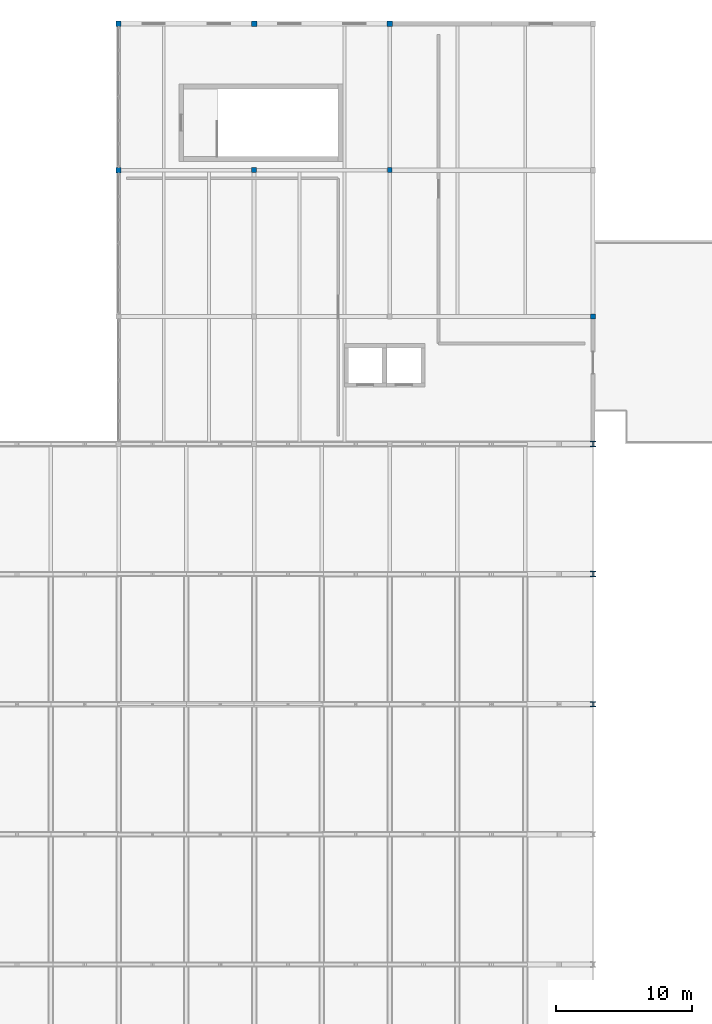
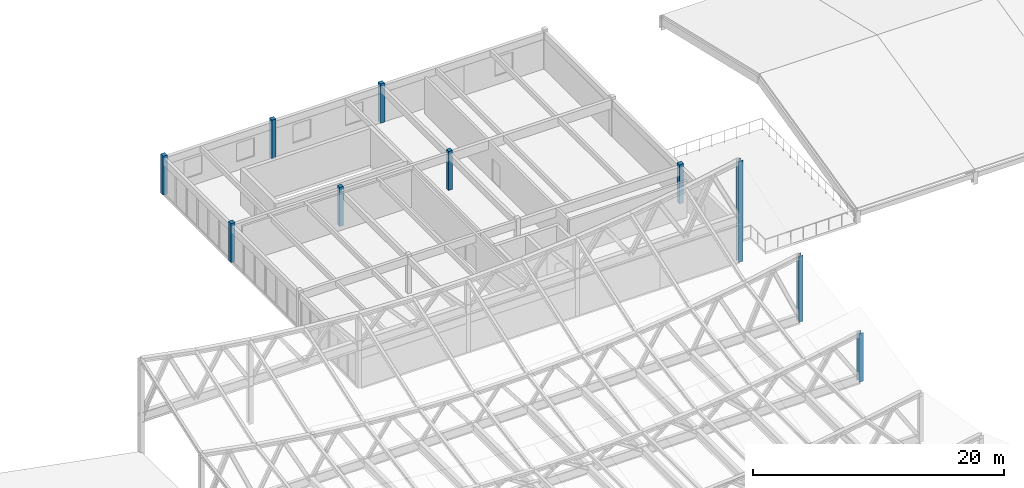
# One storey, part 4 of 40: 10 columns.
"""IFC4 building model written with IfcOpenShell, lengths in metres."""

from ifc_helpers import new_model, si_unit, direction, frame, origin, origin_2d, place, context, subcontext, project, spatial, rectangle, i_section, extrude, material, material_profile, profile_set, type_object, element, save


model = new_model("IFC4")

# Units and contexts
model_context = context("Model", 3, precision=1e-05, world=origin(), true_north=direction((0.0, 1.0)))
body_context = subcontext(model_context, "Body", "Model", "MODEL_VIEW")
ifc_project = project(units=[si_unit("LENGTHUNIT", "METRE"), si_unit("AREAUNIT", "SQUARE_METRE"), si_unit("VOLUMEUNIT", "CUBIC_METRE"), si_unit("PLANEANGLEUNIT", "RADIAN"), si_unit("MASSUNIT", "GRAM", prefix="KILO")], contexts=[model_context])

# Site, building, storey
site_placement = place(None, origin())
site = spatial("IfcSite", under=ifc_project, at=site_placement, CompositionType="ELEMENT")
building_placement = place(site_placement, origin())
building = spatial("IfcBuilding", under=site, at=building_placement, Name="Veldera Park Congress Hotel", CompositionType="ELEMENT")
storey_placement = place(building_placement, frame((0.0, 0.0, 16.199951171875)))
storey = spatial("IfcBuildingStorey", under=building, at=storey_placement, Name="L03", CompositionType="ELEMENT", Elevation=16.199951171875)

# Columns
ifc_material_1 = material(Name="Glulam GL28h (NDS 24F-V4)", Category="wood")
ifc_material_profile_1 = material_profile(ifc_material_1, rectangle(XDim=0.360107421875, YDim=0.360107421875, at=origin_2d()), Name="GL28h 360x360")
ifc_profile_set_1 = profile_set([ifc_material_profile_1], Name="Glulam GL28h (NDS 24F-V4)")
column_type_1 = type_object("IfcColumnType", Name="COL-GL36", PredefinedType="COLUMN", material=ifc_profile_set_1)
for number, where, z_axis, x_axis, name in (
    (1, (-37.39990234375, 47.199951171875, 0.0), (0.0, 0.0, 1.0), (1.0, 0.0, 0.0), "L03 Column COL-GL36 (-37.4,47.2)"),
    (2, (-27.39990234375, 47.199951171875, 0.0), (0.0, 0.0, 1.0), (1.0, 0.0, 0.0), "L03 Column COL-GL36 (-27.4,47.2)"),
):
    element("IfcColumn", number, at=place(storey_placement, frame(where, z_axis=z_axis, x_axis=x_axis)), inside=storey, type_object=column_type_1, Name=name, PredefinedType="COLUMN", context=body_context, shape_type="SweptSolid", body=[
        extrude(rectangle(XDim=0.360107421875, YDim=0.360107421875, at=origin_2d()), origin(), (0.0, 0.0, 1.0), 3.800048828125),
    ])
ifc_material_profile_2 = material_profile(ifc_material_1, rectangle(XDim=0.389892578125, YDim=0.389892578125, at=origin_2d()), Name="GL28h 390x390")
ifc_profile_set_2 = profile_set([ifc_material_profile_2], Name="Glulam GL28h (NDS 24F-V4)")
column_type_2 = type_object("IfcColumnType", Name="COL-GL36E", PredefinedType="COLUMN", material=ifc_profile_set_2)
for number, where, z_axis, x_axis, name in (
    (3, (-47.39990234375, 47.199951171875, 0.0), (0.0, 0.0, 1.0), (1.0, 0.0, 0.0), "L03 Column COL-GL36E (-47.4,47.2)"),
    (4, (-47.39990234375, 58.0, 0.0), (0.0, 0.0, 1.0), (1.0, 0.0, 0.0), "L03 Column COL-GL36E (-47.4,58.0)"),
    (5, (-37.39990234375, 58.0, 0.0), (0.0, 0.0, 1.0), (1.0, 0.0, 0.0), "L03 Column COL-GL36E (-37.4,58.0)"),
    (6, (-27.39990234375, 58.0, 0.0), (0.0, 0.0, 1.0), (1.0, 0.0, 0.0), "L03 Column COL-GL36E (-27.4,58.0)"),
    (7, (-12.39990234375, 36.39990234375, 0.0), (0.0, 0.0, 1.0), (1.0, 0.0, 0.0), "L03 Column COL-GL36E (-12.4,36.4)"),
):
    element("IfcColumn", number, at=place(storey_placement, frame(where, z_axis=z_axis, x_axis=x_axis)), inside=storey, type_object=column_type_2, Name=name, PredefinedType="COLUMN", context=body_context, shape_type="SweptSolid", body=[
        extrude(rectangle(XDim=0.389892578125, YDim=0.389892578125, at=origin_2d()), origin(), (0.0, 0.0, 1.0), 3.800048828125),
    ])
ifc_material_2 = material(Name="Steel ASTM A992 Gr.50", Category="steel")
ifc_material_profile_3 = material_profile(ifc_material_2, i_section(OverallWidth=0.39697265625, OverallDepth=0.386962890625, WebThickness=0.02099609375, FlangeThickness=0.033203125, at=origin_2d()), Name="W14X176")
ifc_profile_set_3 = profile_set([ifc_material_profile_3], Name="Steel ASTM A992 Gr.50")
column_type_3 = type_object("IfcColumnType", Name="COL-STL176", PredefinedType="COLUMN", material=ifc_profile_set_3)
column_1_placement = place(storey_placement, frame((-12.39990234375, 7.800048828125, 0.0), z_axis=(0.0, 0.0, 1.0), x_axis=(1.0, 0.0, 0.0)))
element("IfcColumn", 8, at=column_1_placement, inside=storey, type_object=column_type_3, Name="L03 Column COL-STL176 (-12.4,7.8)", PredefinedType="COLUMN", context=body_context, shape_type="SweptSolid", body=[
    extrude(i_section(OverallWidth=0.39697265625, OverallDepth=0.386962890625, WebThickness=0.02099609375, FlangeThickness=0.033203125, at=origin_2d()), origin(), (0.0, 0.0, 1.0), 4.7373046875),
])
column_2_placement = place(storey_placement, frame((-12.39990234375, 17.39990234375, 0.0), z_axis=(0.0, 0.0, 1.0), x_axis=(1.0, 0.0, 0.0)))
element("IfcColumn", 9, at=column_2_placement, inside=storey, type_object=column_type_3, Name="L03 Column COL-STL176 (-12.4,17.4)", PredefinedType="COLUMN", context=body_context, shape_type="SweptSolid", body=[
    extrude(i_section(OverallWidth=0.39697265625, OverallDepth=0.386962890625, WebThickness=0.02099609375, FlangeThickness=0.033203125, at=origin_2d()), origin(), (0.0, 0.0, 1.0), 6.4306640625),
])
ifc_material_profile_4 = material_profile(ifc_material_2, i_section(OverallWidth=0.39892578125, OverallDepth=0.39306640625, WebThickness=0.022705078125, FlangeThickness=0.03662109375, at=origin_2d()), Name="W14X193")
ifc_profile_set_4 = profile_set([ifc_material_profile_4], Name="Steel ASTM A992 Gr.50")
column_type_4 = type_object("IfcColumnType", Name="COL-STL176E", PredefinedType="COLUMN", material=ifc_profile_set_4)
column_3_placement = place(storey_placement, frame((-12.39990234375, 27.0, 0.0), z_axis=(0.0, 0.0, 1.0), x_axis=(1.0, 0.0, 0.0)))
element("IfcColumn", 10, at=column_3_placement, inside=storey, type_object=column_type_4, Name="L03 Column COL-STL176E (-12.4,27.0)", PredefinedType="COLUMN", context=body_context, shape_type="SweptSolid", body=[
    extrude(i_section(OverallWidth=0.39892578125, OverallDepth=0.39306640625, WebThickness=0.022705078125, FlangeThickness=0.03662109375, at=origin_2d()), origin(), (0.0, 0.0, 1.0), 9.817626953125),
])

save(model, "model.ifc")
